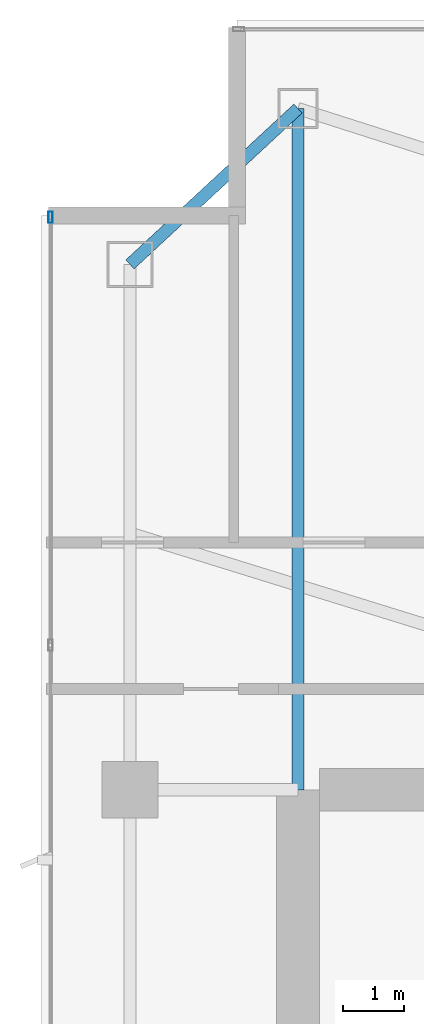
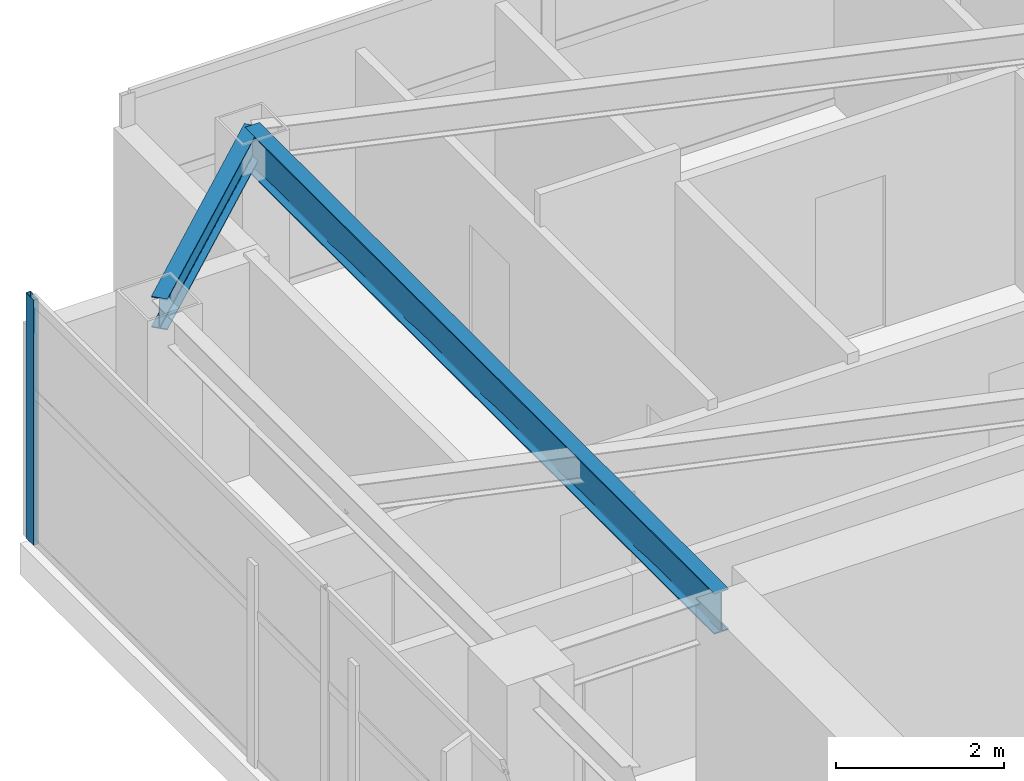
# One storey, part 17 of 29: 2 beams, 1 member, 1 element without a shape of its own.
"""IFC4 building model written with IfcOpenShell, lengths in metres."""

import ifcopenshell
import ifcopenshell.guid

model = None  # the IFC model being written
_history = None  # IfcOwnerHistory: only IFC2X3 demands one
_inside = {}  # id of a spatial element -> (the spatial element, [elements in it])
_under = {}  # id of a project, library or spatial element -> (it, [spatial elements below it])
_declared = {}  # id of a project -> (the project, [libraries it declares])
_typed = {}  # id of a type object -> (the type object, [elements of that type])
_made_of = {}  # id of a material, layer set ... -> (it, [elements and type objects made of it])


def new_model(schema):
    """Start an empty IFC model of exactly this schema.

    Asked for "IFC4X3", IfcOpenShell would pick the latest addendum, in which some entities
    have other attributes; the version numbers below select the first issue.
    IFC2X3 requires an IfcOwnerHistory on every rooted entity: one is made here for all.
    """
    global model, _history
    if schema == "IFC4X3":
        model = ifcopenshell.file(schema_version=(4, 3, 0, 0))
    else:
        model = ifcopenshell.file(schema=schema)
    _inside.clear()
    _under.clear()
    _declared.clear()
    _typed.clear()
    _made_of.clear()
    _history = None
    if model.schema == "IFC2X3":
        org = make("IfcOrganization", Name="unknown")
        user = make(
            "IfcPersonAndOrganization",
            ThePerson=make("IfcPerson", FamilyName="unknown"),
            TheOrganization=org,
        )
        app = make(
            "IfcApplication",
            ApplicationDeveloper=org,
            Version="unknown",
            ApplicationFullName="unknown",
            ApplicationIdentifier="unknown",
        )
        _history = make(
            "IfcOwnerHistory",
            OwningUser=user,
            OwningApplication=app,
            ChangeAction="ADDED",
            CreationDate=0,
        )
    return model


def make(cls, **values):
    """One entity of the class cls with the attributes given. An attribute that is None is left unset."""
    return model.create_entity(
        cls, **{name: value for name, value in values.items() if value is not None}
    )


def rooted(cls, **values):
    """An entity with a GlobalId (a new one), such as an element, a storey or a relation."""
    return make(cls, GlobalId=ifcopenshell.guid.new(), OwnerHistory=_history, **values)


def si_unit(unit_type, name, prefix=None):
    """IfcSIUnit, for example si_unit("LENGTHUNIT", "METRE", prefix="MILLI")."""
    return make("IfcSIUnit", UnitType=unit_type, Prefix=prefix, Name=name)


def assignment(units):
    """IfcUnitAssignment: the units of a project."""
    return None if units is None else make("IfcUnitAssignment", Units=units)


def point(xyz):
    """IfcCartesianPoint."""
    return None if xyz is None else make("IfcCartesianPoint", Coordinates=xyz)


def direction(xyz):
    """IfcDirection."""
    return None if xyz is None else make("IfcDirection", DirectionRatios=xyz)


def frame(location, z_axis=None, x_axis=None):
    """IfcAxis2Placement3D, a coordinate frame: its origin and axes. An axis left out is left unset."""
    return make(
        "IfcAxis2Placement3D",
        Location=point(location),
        Axis=direction(z_axis),
        RefDirection=direction(x_axis),
    )


def frame_2d(location, x_axis=None):
    """IfcAxis2Placement2D, a coordinate frame in the plane: its origin and x axis."""
    return make(
        "IfcAxis2Placement2D", Location=point(location), RefDirection=direction(x_axis)
    )


def origin():
    """The frame at (0, 0, 0) with its axes left unset."""
    return frame((0.0, 0.0, 0.0))


def origin_2d():
    """The frame at (0, 0) in the plane with its x axis left unset."""
    return frame_2d((0.0, 0.0))


def place(relative_to, where):
    """IfcLocalPlacement: puts the frame where relative to a parent placement (None: the world)."""
    return make(
        "IfcLocalPlacement", PlacementRelTo=relative_to, RelativePlacement=where
    )


def context(
    kind, dimensions, precision=None, world=None, true_north=None, identifier=None
):
    """IfcGeometricRepresentationContext, for example the 3D "Model" context."""
    return make(
        "IfcGeometricRepresentationContext",
        ContextIdentifier=identifier,
        ContextType=kind,
        CoordinateSpaceDimension=dimensions,
        Precision=precision,
        WorldCoordinateSystem=world,
        TrueNorth=true_north,
    )


def subcontext(parent, identifier, kind, view, scale=None):
    """IfcGeometricRepresentationSubContext, for example "Body" below "Model"."""
    return make(
        "IfcGeometricRepresentationSubContext",
        ContextIdentifier=identifier,
        ContextType=kind,
        ParentContext=parent,
        TargetScale=scale,
        TargetView=view,
    )


def project(units=None, contexts=None):
    """IfcProject with its units and contexts."""
    return rooted(
        "IfcProject",
        Name="project",
        RepresentationContexts=contexts,
        UnitsInContext=assignment(units),
    )


def spatial(cls, under=None, at=None, **own):
    """A site, building, storey or space (cls), placed at a placement, below another one or the project."""
    s = rooted(cls, ObjectPlacement=at, **own)
    if under is not None:
        _under.setdefault(under.id(), (under, []))[1].append(s)
    return s


def profile(cls, at=None, kind="AREA", **sizes):
    """A parametric profile (cls). Its sizes go by their IFC names, for example OverallWidth=200.0."""
    return make(cls, ProfileType=kind, Position=at, **sizes)


def hollow_rectangle(**sizes):
    """IfcRectangleHollowProfileDef."""
    return profile("IfcRectangleHollowProfileDef", **sizes)


def i_section(**sizes):
    """IfcIShapeProfileDef."""
    return profile("IfcIShapeProfileDef", **sizes)


def extrude(swept, where, along, depth):
    """IfcExtrudedAreaSolid: the profile swept, set in the frame where, extruded along a direction by depth."""
    return make(
        "IfcExtrudedAreaSolid",
        SweptArea=swept,
        Position=where,
        ExtrudedDirection=direction(along),
        Depth=depth,
    )


def shape(context_of_items, identifier, shape_type, items):
    """IfcShapeRepresentation: the items that make up one representation, for example the "Body"."""
    return make(
        "IfcShapeRepresentation",
        ContextOfItems=context_of_items,
        RepresentationIdentifier=identifier,
        RepresentationType=shape_type,
        Items=items,
    )


def material(Name=None, Category=None):
    """IfcMaterial."""
    return make("IfcMaterial", Name=Name, Category=Category)


def layer(
    of_material, thickness, ventilated=None, Name=None, Category=None, Priority=None
):
    """IfcMaterialLayer: one layer of a wall or slab, of a material (None: an air gap)."""
    return make(
        "IfcMaterialLayer",
        Material=of_material,
        LayerThickness=thickness,
        IsVentilated=ventilated,
        Name=Name,
        Category=Category,
        Priority=Priority,
    )


def layer_set(layers, Name=None):
    """IfcMaterialLayerSet."""
    return make("IfcMaterialLayerSet", MaterialLayers=layers, LayerSetName=Name)


def material_profile(
    of_material, cross_section, Name=None, Category=None, Priority=None
):
    """IfcMaterialProfile: a cross section and its material."""
    return make(
        "IfcMaterialProfile",
        Name=Name,
        Material=of_material,
        Profile=cross_section,
        Priority=Priority,
        Category=Category,
    )


def profile_set(profiles, Name=None, composite=None):
    """IfcMaterialProfileSet."""
    return make(
        "IfcMaterialProfileSet",
        Name=Name,
        MaterialProfiles=profiles,
        CompositeProfile=composite,
    )


def made_of(thing, what):
    """Note that an element or type object is made of a material, layer set ...; save() writes the relation."""
    if what is not None:
        _made_of.setdefault(what.id(), (what, []))[1].append(thing)
    return thing


def type_object(cls, material=None, **own):
    """A type object (cls), such as IfcWallType, which elements share."""
    return made_of(rooted(cls, **own), material)


def element(
    cls,
    number,
    at=None,
    inside=None,
    cuts=None,
    type_object=None,
    material=None,
    context=None,
    identifier="Body",
    shape_type=None,
    held_by="IfcProductDefinitionShape",
    body=None,
    shapes=None,
    **own,
):
    """One element of the class cls, such as IfcWall. Its Tag is "e" and its number.

    at: its placement. inside: the storey or other place that contains it. cuts: it is an
    opening in that element (IfcRelVoidsElement). A single representation is given by context,
    identifier, shape_type and body (its items); several are given by shapes. held_by: the class
    of the entity that holds the representations. save() writes the other relations.
    """
    e = rooted(cls, Tag="e%d" % number, ObjectPlacement=at, **own)
    if body is not None:
        shapes = [shape(context, identifier, shape_type, body)]
    if shapes is not None:
        e.Representation = make(held_by, Representations=shapes)
    if inside is not None:
        _inside.setdefault(inside.id(), (inside, []))[1].append(e)
    if cuts is not None:
        rooted(
            "IfcRelVoidsElement", RelatingBuildingElement=cuts, RelatedOpeningElement=e
        )
    if type_object is not None:
        _typed.setdefault(type_object.id(), (type_object, []))[1].append(e)
    return made_of(e, material)


def aggregate(whole, parts):
    """IfcRelAggregates: a whole, such as a stair, and the parts it consists of."""
    return rooted("IfcRelAggregates", RelatingObject=whole, RelatedObjects=parts)


def save(model, path):
    """Write the relations noted so far, then the file.

    IfcRelAggregates (storeys below a building ...), IfcRelContainedInSpatialStructure (elements
    in a storey), IfcRelDefinesByType, IfcRelAssociatesMaterial and IfcRelDeclares: one each for
    every whole, place, type object, material and project.
    """
    for whole, parts in _under.values():
        aggregate(whole, parts)
    for where, things in _inside.values():
        rooted(
            "IfcRelContainedInSpatialStructure",
            RelatedElements=things,
            RelatingStructure=where,
        )
    for kind, things in _typed.values():
        rooted("IfcRelDefinesByType", RelatedObjects=things, RelatingType=kind)
    for what, things in _made_of.values():
        rooted("IfcRelAssociatesMaterial", RelatedObjects=things, RelatingMaterial=what)
    for by, libraries in _declared.values():
        rooted("IfcRelDeclares", RelatingContext=by, RelatedDefinitions=libraries)
    model.write(path)


model = new_model("IFC4")

# Units and contexts
model_context = context("Model", 3, precision=1e-05, world=origin(), true_north=direction((0.0, 1.0)))
body_context = subcontext(model_context, "Body", "Model", "MODEL_VIEW")
ifc_project = project(units=[si_unit("LENGTHUNIT", "METRE"), si_unit("AREAUNIT", "SQUARE_METRE"), si_unit("VOLUMEUNIT", "CUBIC_METRE"), si_unit("PLANEANGLEUNIT", "RADIAN"), si_unit("MASSUNIT", "GRAM", prefix="KILO")], contexts=[model_context])

# Site, building, storey
site_placement = place(None, origin())
site = spatial("IfcSite", under=ifc_project, at=site_placement, CompositionType="ELEMENT")
building_placement = place(site_placement, origin())
building = spatial("IfcBuilding", under=site, at=building_placement, Name="Calvorn Quay Hotel", CompositionType="ELEMENT")
storey_placement = place(building_placement, frame((0.0, 0.0, 199.60009765625)))
storey = spatial("IfcBuildingStorey", under=building, at=storey_placement, Name="L49", CompositionType="ELEMENT", Elevation=199.60009765625)

# Beams
ifc_material_1 = material(Name="Steel Q355B", Category="steel")
ifc_material_profile_1 = material_profile(ifc_material_1, i_section(OverallWidth=0.199951171875, OverallDepth=0.60009765625, WebThickness=0.010986328125, FlangeThickness=0.01708984375, FilletRadius=0.01806640625, at=origin_2d()), Name="HN600x200x11x17")
ifc_profile_set_1 = profile_set([ifc_material_profile_1], Name="Steel Q355B")
beam_type_1 = type_object("IfcBeamType", Name="BM-GIRD-TYP", PredefinedType="BEAM", material=ifc_profile_set_1)
beam_1_placement = place(storey_placement, frame((4.199951171875, 49.550048828125, 3.239990234375), z_axis=(0.0, -1.0, 0.0), x_axis=(1.0, 0.0, 0.0)))
element("IfcBeam", 1, at=beam_1_placement, inside=storey, type_object=beam_type_1, Name="Beam BG-L49-W5", PredefinedType="BEAM", context=body_context, shape_type="SweptSolid", body=[
    extrude(i_section(OverallWidth=0.199951171875, OverallDepth=0.60009765625, WebThickness=0.010986328125, FlangeThickness=0.01708984375, FilletRadius=0.01806640625, at=origin_2d()), origin(), (0.0, 0.0, 1.0), 11.150146484375),
])
ifc_material_2 = material(Name="Steel Q355B", Category="steel")
ifc_material_profile_2 = material_profile(ifc_material_2, i_section(OverallWidth=0.199951171875, OverallDepth=0.449951171875, WebThickness=0.009033203125, FlangeThickness=0.013916015625, FilletRadius=0.01611328125, at=origin_2d()), Name="HN450x200x9x14")
ifc_profile_set_2 = profile_set([ifc_material_profile_2], Name="Steel Q355B")
beam_type_2 = type_object("IfcBeamType", Name="BM-SPANDREL-Z3", PredefinedType="SPANDREL", material=ifc_profile_set_2)
beam_2_placement = place(storey_placement, frame((1.449951171875, 47.0, 3.31494140625), z_axis=(0.733261665538, 0.679946563969, 0.0), x_axis=(-0.679946563969, 0.733261665538, 0.0)))
element("IfcBeam", 2, at=beam_2_placement, inside=storey, type_object=beam_type_2, Name="Beam BSP-L49-W5", PredefinedType="SPANDREL", context=body_context, shape_type="SweptSolid", body=[
    extrude(i_section(OverallWidth=0.199951171875, OverallDepth=0.449951171875, WebThickness=0.009033203125, FlangeThickness=0.013916015625, FilletRadius=0.01611328125, at=origin_2d()), origin(), (0.0, 0.0, 1.0), 3.75048828125),
])

# Curtain wall, member
ifc_material_3 = material(Name="Champagne Bronze Anodised Aluminium and Low-E Glass", Category="aluminium")
ifc_layer = layer(ifc_material_3, 0.219970703125)
ifc_layer_set = layer_set([ifc_layer], Name="CW-SYS-Z3")
curtain_wall_type = type_object("IfcCurtainWallType", Name="CW-SYS-Z3", PredefinedType="NOTDEFINED", material=ifc_layer_set)
curtain_wall_placement = place(storey_placement, origin())
curtain_wall = element("IfcCurtainWall", 3, at=curtain_wall_placement, inside=storey, type_object=curtain_wall_type, Name="Tower West Curtain Wall (L49)", PredefinedType="NOTDEFINED")
ifc_material_4 = material(Name="Champagne Bronze Anodised Aluminium 6063-T6", Category="aluminium")
ifc_material_profile_3 = material_profile(ifc_material_4, hollow_rectangle(XDim=0.068115234375, YDim=0.18505859375, WallThickness=0.00390625, at=origin_2d()), Name="ALU-M185x68x4")
ifc_profile_set_3 = profile_set([ifc_material_profile_3], Name="Champagne Bronze Anodised Aluminium 6063-T6")
member_type = type_object("IfcMemberType", Name="CW-SYS-Z3-MUL", PredefinedType="MULLION", material=ifc_profile_set_3)
member_placement = place(storey_placement, frame((0.14990234375, 47.77001953125, 0.0), z_axis=(0.0, 0.0, 1.0), x_axis=(-1.0, 0.0, 0.0)))
member = element("IfcMember", 4, at=member_placement, type_object=member_type, Name="CW-L49-W mullion 7", PredefinedType="MULLION", context=body_context, shape_type="SweptSolid", body=[
    extrude(hollow_rectangle(XDim=0.068115234375, YDim=0.18505859375, WallThickness=0.00390625, at=origin_2d()), origin(), (0.0, 0.0, 1.0), 3.559814453125),
])
aggregate(curtain_wall, [member])

save(model, "model.ifc")
